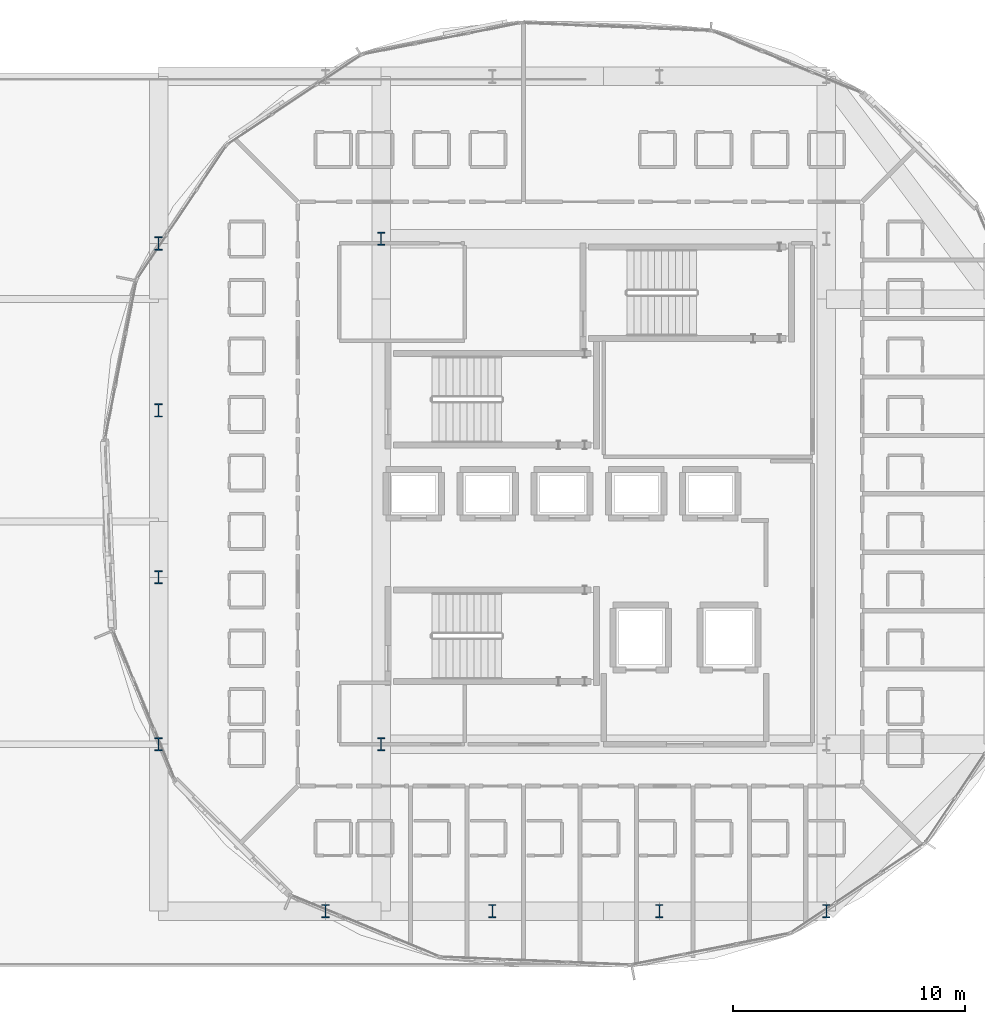
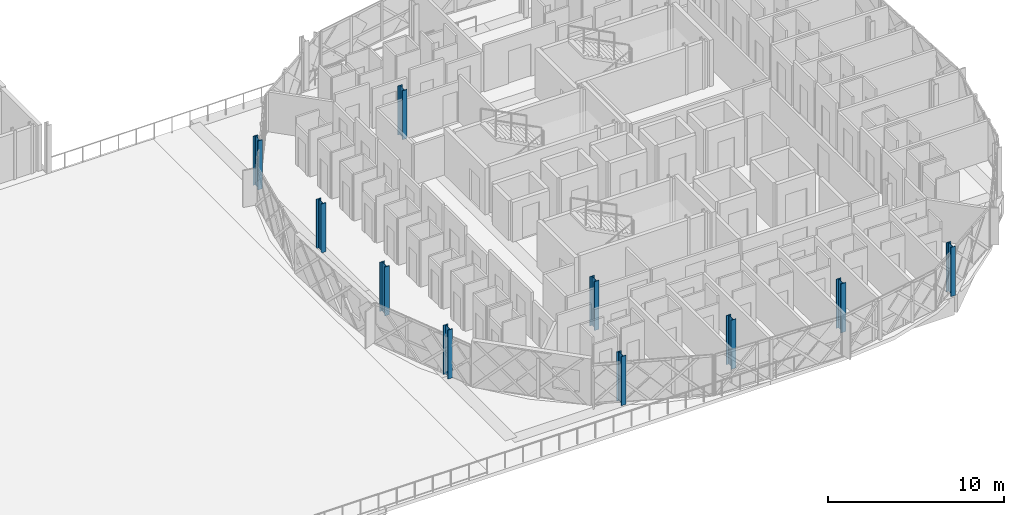
# One storey, part 3 of 53: 10 columns.
"""IFC4 building model written with IfcOpenShell, lengths in metres."""

from ifc_helpers import new_model, si_unit, direction, frame, origin, origin_2d, place, context, subcontext, project, spatial, i_section, extrude, material, material_profile, profile_set, type_object, element, save


model = new_model("IFC4")

# Units and contexts
model_context = context("Model", 3, precision=1e-05, world=origin(), true_north=direction((0.0, 1.0)))
body_context = subcontext(model_context, "Body", "Model", "MODEL_VIEW")
ifc_project = project(units=[si_unit("LENGTHUNIT", "METRE"), si_unit("AREAUNIT", "SQUARE_METRE"), si_unit("VOLUMEUNIT", "CUBIC_METRE"), si_unit("PLANEANGLEUNIT", "RADIAN"), si_unit("MASSUNIT", "GRAM", prefix="KILO")], contexts=[model_context])

# Site, building, storey
site_placement = place(None, origin())
site = spatial("IfcSite", under=ifc_project, at=site_placement, CompositionType="ELEMENT")
building_placement = place(site_placement, origin())
building = spatial("IfcBuilding", under=site, at=building_placement, Name="Zevrakil Square Congress Hotel", CompositionType="ELEMENT")
storey_placement = place(building_placement, frame((0.0, 0.0, 14.699951171875)))
storey = spatial("IfcBuildingStorey", under=building, at=storey_placement, Name="L04", CompositionType="ELEMENT", Elevation=14.699951171875)

# Columns
ifc_material = material(Name="Steel S355", Category="steel")
ifc_material_profile = material_profile(ifc_material, i_section(OverallWidth=0.305908203125, OverallDepth=0.572021484375, WebThickness=0.02099609375, FlangeThickness=0.0400390625, FilletRadius=0.027099609375, at=origin_2d()), Name="HEM 550")
ifc_profile_set = profile_set([ifc_material_profile], Name="Steel S355")
column_type = type_object("IfcColumnType", Name="COL-HEM550", PredefinedType="COLUMN", material=ifc_profile_set)
for number, where, z_axis, x_axis, name in (
    (1, (136.800048828125, 16.800048828125, 0.0), (0.0, 0.0, 1.0), (1.0, 0.0, 0.0), "L04 column C-206"),
    (2, (136.800048828125, 38.60009765625, 0.0), (0.0, 0.0, 1.0), (1.0, 0.0, 0.0), "L04 drum core collar column CC01"),
    (3, (134.39990234375, 9.60009765625, 0.0), (0.0, 0.0, 1.0), (1.0, 0.0, 0.0), "L04 drum column DC01"),
    (4, (141.60009765625, 9.60009765625, 0.0), (0.0, 0.0, 1.0), (1.0, 0.0, 0.0), "L04 drum column DC02"),
    (5, (148.800048828125, 9.60009765625, 0.0), (0.0, 0.0, 1.0), (1.0, 0.0, 0.0), "L04 drum column DC03"),
    (6, (156.0, 9.60009765625, 0.0), (0.0, 0.0, 1.0), (1.0, 0.0, 0.0), "L04 drum column DC04"),
    (7, (127.199951171875, 38.39990234375, 0.0), (0.0, 0.0, 1.0), (1.0, 0.0, 0.0), "L04 drum column DC13"),
    (8, (127.199951171875, 31.199951171875, 0.0), (0.0, 0.0, 1.0), (1.0, 0.0, 0.0), "L04 drum column DC14"),
    (9, (127.199951171875, 24.0, 0.0), (0.0, 0.0, 1.0), (1.0, 0.0, 0.0), "L04 drum column DC15"),
    (10, (127.199951171875, 16.800048828125, 0.0), (0.0, 0.0, 1.0), (1.0, 0.0, 0.0), "L04 drum column DC16"),
):
    element("IfcColumn", number, at=place(storey_placement, frame(where, z_axis=z_axis, x_axis=x_axis)), inside=storey, type_object=column_type, Name=name, PredefinedType="COLUMN", context=body_context, shape_type="SweptSolid", body=[
        extrude(i_section(OverallWidth=0.305908203125, OverallDepth=0.572021484375, WebThickness=0.02099609375, FlangeThickness=0.0400390625, FilletRadius=0.027099609375, at=origin_2d()), origin(), (0.0, 0.0, 1.0), 3.400146484375),
    ])

save(model, "model.ifc")
